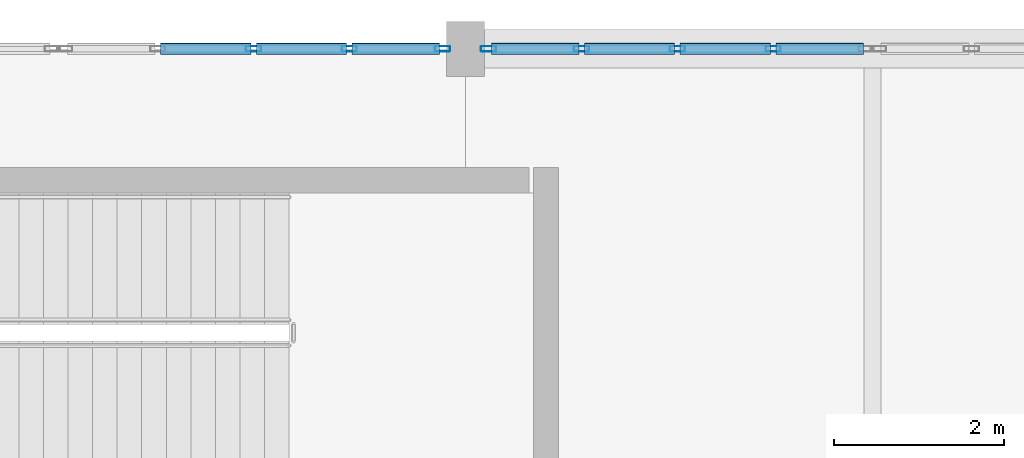
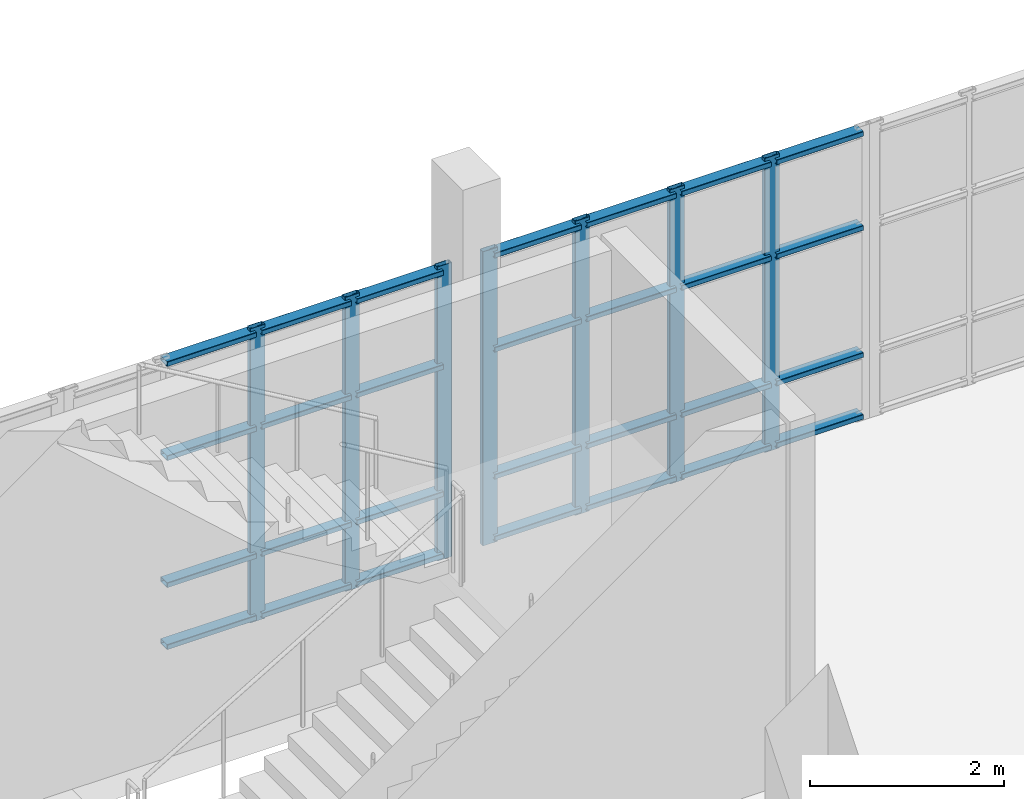
# One storey, part 42 of 106: 35 members, 2 elements without a shape of their own.
"""IFC4 building model written with IfcOpenShell, lengths in metres."""

import ifcopenshell
import ifcopenshell.guid

model = None  # the IFC model being written
_history = None  # IfcOwnerHistory: only IFC2X3 demands one
_inside = {}  # id of a spatial element -> (the spatial element, [elements in it])
_under = {}  # id of a project, library or spatial element -> (it, [spatial elements below it])
_declared = {}  # id of a project -> (the project, [libraries it declares])
_typed = {}  # id of a type object -> (the type object, [elements of that type])
_made_of = {}  # id of a material, layer set ... -> (it, [elements and type objects made of it])


def new_model(schema):
    """Start an empty IFC model of exactly this schema.

    Asked for "IFC4X3", IfcOpenShell would pick the latest addendum, in which some entities
    have other attributes; the version numbers below select the first issue.
    IFC2X3 requires an IfcOwnerHistory on every rooted entity: one is made here for all.
    """
    global model, _history
    if schema == "IFC4X3":
        model = ifcopenshell.file(schema_version=(4, 3, 0, 0))
    else:
        model = ifcopenshell.file(schema=schema)
    _inside.clear()
    _under.clear()
    _declared.clear()
    _typed.clear()
    _made_of.clear()
    _history = None
    if model.schema == "IFC2X3":
        org = make("IfcOrganization", Name="unknown")
        user = make(
            "IfcPersonAndOrganization",
            ThePerson=make("IfcPerson", FamilyName="unknown"),
            TheOrganization=org,
        )
        app = make(
            "IfcApplication",
            ApplicationDeveloper=org,
            Version="unknown",
            ApplicationFullName="unknown",
            ApplicationIdentifier="unknown",
        )
        _history = make(
            "IfcOwnerHistory",
            OwningUser=user,
            OwningApplication=app,
            ChangeAction="ADDED",
            CreationDate=0,
        )
    return model


def make(cls, **values):
    """One entity of the class cls with the attributes given. An attribute that is None is left unset."""
    return model.create_entity(
        cls, **{name: value for name, value in values.items() if value is not None}
    )


def rooted(cls, **values):
    """An entity with a GlobalId (a new one), such as an element, a storey or a relation."""
    return make(cls, GlobalId=ifcopenshell.guid.new(), OwnerHistory=_history, **values)


def si_unit(unit_type, name, prefix=None):
    """IfcSIUnit, for example si_unit("LENGTHUNIT", "METRE", prefix="MILLI")."""
    return make("IfcSIUnit", UnitType=unit_type, Prefix=prefix, Name=name)


def assignment(units):
    """IfcUnitAssignment: the units of a project."""
    return None if units is None else make("IfcUnitAssignment", Units=units)


def point(xyz):
    """IfcCartesianPoint."""
    return None if xyz is None else make("IfcCartesianPoint", Coordinates=xyz)


def direction(xyz):
    """IfcDirection."""
    return None if xyz is None else make("IfcDirection", DirectionRatios=xyz)


def frame(location, z_axis=None, x_axis=None):
    """IfcAxis2Placement3D, a coordinate frame: its origin and axes. An axis left out is left unset."""
    return make(
        "IfcAxis2Placement3D",
        Location=point(location),
        Axis=direction(z_axis),
        RefDirection=direction(x_axis),
    )


def frame_2d(location, x_axis=None):
    """IfcAxis2Placement2D, a coordinate frame in the plane: its origin and x axis."""
    return make(
        "IfcAxis2Placement2D", Location=point(location), RefDirection=direction(x_axis)
    )


def origin():
    """The frame at (0, 0, 0) with its axes left unset."""
    return frame((0.0, 0.0, 0.0))


def origin_2d():
    """The frame at (0, 0) in the plane with its x axis left unset."""
    return frame_2d((0.0, 0.0))


def place(relative_to, where):
    """IfcLocalPlacement: puts the frame where relative to a parent placement (None: the world)."""
    return make(
        "IfcLocalPlacement", PlacementRelTo=relative_to, RelativePlacement=where
    )


def context(
    kind, dimensions, precision=None, world=None, true_north=None, identifier=None
):
    """IfcGeometricRepresentationContext, for example the 3D "Model" context."""
    return make(
        "IfcGeometricRepresentationContext",
        ContextIdentifier=identifier,
        ContextType=kind,
        CoordinateSpaceDimension=dimensions,
        Precision=precision,
        WorldCoordinateSystem=world,
        TrueNorth=true_north,
    )


def subcontext(parent, identifier, kind, view, scale=None):
    """IfcGeometricRepresentationSubContext, for example "Body" below "Model"."""
    return make(
        "IfcGeometricRepresentationSubContext",
        ContextIdentifier=identifier,
        ContextType=kind,
        ParentContext=parent,
        TargetScale=scale,
        TargetView=view,
    )


def project(units=None, contexts=None):
    """IfcProject with its units and contexts."""
    return rooted(
        "IfcProject",
        Name="project",
        RepresentationContexts=contexts,
        UnitsInContext=assignment(units),
    )


def spatial(cls, under=None, at=None, **own):
    """A site, building, storey or space (cls), placed at a placement, below another one or the project."""
    s = rooted(cls, ObjectPlacement=at, **own)
    if under is not None:
        _under.setdefault(under.id(), (under, []))[1].append(s)
    return s


def profile(cls, at=None, kind="AREA", **sizes):
    """A parametric profile (cls). Its sizes go by their IFC names, for example OverallWidth=200.0."""
    return make(cls, ProfileType=kind, Position=at, **sizes)


def hollow_rectangle(**sizes):
    """IfcRectangleHollowProfileDef."""
    return profile("IfcRectangleHollowProfileDef", **sizes)


def extrude(swept, where, along, depth):
    """IfcExtrudedAreaSolid: the profile swept, set in the frame where, extruded along a direction by depth."""
    return make(
        "IfcExtrudedAreaSolid",
        SweptArea=swept,
        Position=where,
        ExtrudedDirection=direction(along),
        Depth=depth,
    )


def shape(context_of_items, identifier, shape_type, items):
    """IfcShapeRepresentation: the items that make up one representation, for example the "Body"."""
    return make(
        "IfcShapeRepresentation",
        ContextOfItems=context_of_items,
        RepresentationIdentifier=identifier,
        RepresentationType=shape_type,
        Items=items,
    )


def material(Name=None, Category=None):
    """IfcMaterial."""
    return make("IfcMaterial", Name=Name, Category=Category)


def layer(
    of_material, thickness, ventilated=None, Name=None, Category=None, Priority=None
):
    """IfcMaterialLayer: one layer of a wall or slab, of a material (None: an air gap)."""
    return make(
        "IfcMaterialLayer",
        Material=of_material,
        LayerThickness=thickness,
        IsVentilated=ventilated,
        Name=Name,
        Category=Category,
        Priority=Priority,
    )


def layer_set(layers, Name=None):
    """IfcMaterialLayerSet."""
    return make("IfcMaterialLayerSet", MaterialLayers=layers, LayerSetName=Name)


def material_profile(
    of_material, cross_section, Name=None, Category=None, Priority=None
):
    """IfcMaterialProfile: a cross section and its material."""
    return make(
        "IfcMaterialProfile",
        Name=Name,
        Material=of_material,
        Profile=cross_section,
        Priority=Priority,
        Category=Category,
    )


def profile_set(profiles, Name=None, composite=None):
    """IfcMaterialProfileSet."""
    return make(
        "IfcMaterialProfileSet",
        Name=Name,
        MaterialProfiles=profiles,
        CompositeProfile=composite,
    )


def made_of(thing, what):
    """Note that an element or type object is made of a material, layer set ...; save() writes the relation."""
    if what is not None:
        _made_of.setdefault(what.id(), (what, []))[1].append(thing)
    return thing


def type_object(cls, material=None, **own):
    """A type object (cls), such as IfcWallType, which elements share."""
    return made_of(rooted(cls, **own), material)


def element(
    cls,
    number,
    at=None,
    inside=None,
    cuts=None,
    type_object=None,
    material=None,
    context=None,
    identifier="Body",
    shape_type=None,
    held_by="IfcProductDefinitionShape",
    body=None,
    shapes=None,
    **own,
):
    """One element of the class cls, such as IfcWall. Its Tag is "e" and its number.

    at: its placement. inside: the storey or other place that contains it. cuts: it is an
    opening in that element (IfcRelVoidsElement). A single representation is given by context,
    identifier, shape_type and body (its items); several are given by shapes. held_by: the class
    of the entity that holds the representations. save() writes the other relations.
    """
    e = rooted(cls, Tag="e%d" % number, ObjectPlacement=at, **own)
    if body is not None:
        shapes = [shape(context, identifier, shape_type, body)]
    if shapes is not None:
        e.Representation = make(held_by, Representations=shapes)
    if inside is not None:
        _inside.setdefault(inside.id(), (inside, []))[1].append(e)
    if cuts is not None:
        rooted(
            "IfcRelVoidsElement", RelatingBuildingElement=cuts, RelatedOpeningElement=e
        )
    if type_object is not None:
        _typed.setdefault(type_object.id(), (type_object, []))[1].append(e)
    return made_of(e, material)


def aggregate(whole, parts):
    """IfcRelAggregates: a whole, such as a stair, and the parts it consists of."""
    return rooted("IfcRelAggregates", RelatingObject=whole, RelatedObjects=parts)


def save(model, path):
    """Write the relations noted so far, then the file.

    IfcRelAggregates (storeys below a building ...), IfcRelContainedInSpatialStructure (elements
    in a storey), IfcRelDefinesByType, IfcRelAssociatesMaterial and IfcRelDeclares: one each for
    every whole, place, type object, material and project.
    """
    for whole, parts in _under.values():
        aggregate(whole, parts)
    for where, things in _inside.values():
        rooted(
            "IfcRelContainedInSpatialStructure",
            RelatedElements=things,
            RelatingStructure=where,
        )
    for kind, things in _typed.values():
        rooted("IfcRelDefinesByType", RelatedObjects=things, RelatingType=kind)
    for what, things in _made_of.values():
        rooted("IfcRelAssociatesMaterial", RelatedObjects=things, RelatingMaterial=what)
    for by, libraries in _declared.values():
        rooted("IfcRelDeclares", RelatingContext=by, RelatedDefinitions=libraries)
    model.write(path)


model = new_model("IFC4")

# Units and contexts
model_context = context("Model", 3, precision=1e-05, world=origin(), true_north=direction((0.0, 1.0)))
body_context = subcontext(model_context, "Body", "Model", "MODEL_VIEW")
ifc_project = project(units=[si_unit("LENGTHUNIT", "METRE"), si_unit("AREAUNIT", "SQUARE_METRE"), si_unit("VOLUMEUNIT", "CUBIC_METRE"), si_unit("PLANEANGLEUNIT", "RADIAN"), si_unit("MASSUNIT", "GRAM", prefix="KILO")], contexts=[model_context])

# Site, building, storey
site_placement = place(None, origin())
site = spatial("IfcSite", under=ifc_project, at=site_placement, CompositionType="ELEMENT")
building_placement = place(site_placement, origin())
building = spatial("IfcBuilding", under=site, at=building_placement, Name="Kisaragi Civic Commons", CompositionType="ELEMENT")
storey_placement = place(building_placement, frame((0.0, 0.0, 4.800048828125)))
storey = spatial("IfcBuildingStorey", under=building, at=storey_placement, Name="L01", CompositionType="ELEMENT", Elevation=4.800048828125)

# Curtain wall, members
ifc_material = material(Name="Thermally broken anodized aluminium and low-E double glazing", Category="aluminium")
ifc_layer = layer(ifc_material, 0.179931640625, Name="Thermally broken anodized aluminium and low-E double glazing", Category="aluminium")
ifc_layer_set = layer_set([ifc_layer], Name="Thermally broken anodized aluminium and low-E double glazing")
curtain_wall_type = type_object("IfcCurtainWallType", Name="CW-01", PredefinedType="NOTDEFINED", material=ifc_layer_set)
curtain_wall_1_placement = place(storey_placement, origin())
curtain_wall_1 = element("IfcCurtainWall", 1, at=curtain_wall_1_placement, inside=storey, type_object=curtain_wall_type, Name="L01 curtain wall CW-01 CW-V4-L01-066", PredefinedType="NOTDEFINED")
ifc_material_profile_1 = material_profile(ifc_material, hollow_rectangle(XDim=0.06494140625, YDim=0.179931640625, WallThickness=0.00439453125, InnerFilletRadius=0.00439453125, OuterFilletRadius=0.009033203125, at=origin_2d()), Name="CWM-65x180x4.5", Category="aluminium")
ifc_profile_set_1 = profile_set([ifc_material_profile_1], Name="Thermally broken anodized aluminium and low-E double glazing")
member_type_1 = type_object("IfcMemberType", Name="CWM-02", PredefinedType="MULLION", material=ifc_profile_set_1)
member_1_placement = place(storey_placement, frame((121.10009765625, 118.800048828125, 0.0), z_axis=(0.0, 0.0, 1.0), x_axis=(0.0, 1.0, 0.0)))
member_1 = element("IfcMember", 2, at=member_1_placement, type_object=member_type_1, Name="CW-01 mullion 3", PredefinedType="MULLION", context=body_context, shape_type="SweptSolid", body=[
    extrude(hollow_rectangle(XDim=0.06494140625, YDim=0.179931640625, WallThickness=0.00439453125, InnerFilletRadius=0.00439453125, OuterFilletRadius=0.009033203125, at=origin_2d()), origin(), (0.0, 0.0, 1.0), 3.704833984375),
])
member_2_placement = place(storey_placement, frame((122.22998046875, 118.800048828125, 0.0), z_axis=(0.0, 0.0, 1.0), x_axis=(0.0, 1.0, 0.0)))
member_2 = element("IfcMember", 3, at=member_2_placement, type_object=member_type_1, Name="CW-01 mullion 4", PredefinedType="MULLION", context=body_context, shape_type="SweptSolid", body=[
    extrude(hollow_rectangle(XDim=0.06494140625, YDim=0.179931640625, WallThickness=0.00439453125, InnerFilletRadius=0.00439453125, OuterFilletRadius=0.009033203125, at=origin_2d()), origin(), (0.0, 0.0, 1.0), 3.704833984375),
])
member_3_placement = place(storey_placement, frame((123.327392578125, 118.800048828125, 0.0), z_axis=(0.0, 0.0, 1.0), x_axis=(0.0, 1.0, 0.0)))
member_3 = element("IfcMember", 4, at=member_3_placement, type_object=member_type_1, Name="CW-01 mullion 5", PredefinedType="MULLION", context=body_context, shape_type="SweptSolid", body=[
    extrude(hollow_rectangle(XDim=0.06494140625, YDim=0.179931640625, WallThickness=0.00439453125, InnerFilletRadius=0.00439453125, OuterFilletRadius=0.009033203125, at=origin_2d()), origin(), (0.0, 0.0, 1.0), 3.704833984375),
])

curtain_wall_2_placement = place(storey_placement, origin())
curtain_wall_2 = element("IfcCurtainWall", 5, at=curtain_wall_2_placement, inside=storey, type_object=curtain_wall_type, Name="L01 curtain wall CW-01 CW-V4-L01-067", PredefinedType="NOTDEFINED")
member_4_placement = place(storey_placement, frame((123.87255859375, 118.800048828125, 0.0), z_axis=(0.0, 0.0, 1.0), x_axis=(0.0, 1.0, 0.0)))
member_4 = element("IfcMember", 6, at=member_4_placement, type_object=member_type_1, Name="CW-01 mullion 1", PredefinedType="MULLION", context=body_context, shape_type="SweptSolid", body=[
    extrude(hollow_rectangle(XDim=0.06494140625, YDim=0.179931640625, WallThickness=0.00439453125, InnerFilletRadius=0.00439453125, OuterFilletRadius=0.009033203125, at=origin_2d()), origin(), (0.0, 0.0, 1.0), 3.704833984375),
])
member_5_placement = place(storey_placement, frame((124.969970703125, 118.800048828125, 0.0), z_axis=(0.0, 0.0, 1.0), x_axis=(0.0, 1.0, 0.0)))
member_5 = element("IfcMember", 7, at=member_5_placement, type_object=member_type_1, Name="CW-01 mullion 2", PredefinedType="MULLION", context=body_context, shape_type="SweptSolid", body=[
    extrude(hollow_rectangle(XDim=0.06494140625, YDim=0.179931640625, WallThickness=0.00439453125, InnerFilletRadius=0.00439453125, OuterFilletRadius=0.009033203125, at=origin_2d()), origin(), (0.0, 0.0, 1.0), 3.704833984375),
])
member_6_placement = place(storey_placement, frame((126.10009765625, 118.800048828125, 0.0), z_axis=(0.0, 0.0, 1.0), x_axis=(0.0, 1.0, 0.0)))
member_6 = element("IfcMember", 8, at=member_6_placement, type_object=member_type_1, Name="CW-01 mullion 3", PredefinedType="MULLION", context=body_context, shape_type="SweptSolid", body=[
    extrude(hollow_rectangle(XDim=0.06494140625, YDim=0.179931640625, WallThickness=0.00439453125, InnerFilletRadius=0.00439453125, OuterFilletRadius=0.009033203125, at=origin_2d()), origin(), (0.0, 0.0, 1.0), 3.704833984375),
])
member_7_placement = place(storey_placement, frame((127.22998046875, 118.800048828125, 0.0), z_axis=(0.0, 0.0, 1.0), x_axis=(0.0, 1.0, 0.0)))
member_7 = element("IfcMember", 9, at=member_7_placement, type_object=member_type_1, Name="CW-01 mullion 4", PredefinedType="MULLION", context=body_context, shape_type="SweptSolid", body=[
    extrude(hollow_rectangle(XDim=0.06494140625, YDim=0.179931640625, WallThickness=0.00439453125, InnerFilletRadius=0.00439453125, OuterFilletRadius=0.009033203125, at=origin_2d()), origin(), (0.0, 0.0, 1.0), 3.704833984375),
])

# Member
ifc_material_profile_2 = material_profile(ifc_material, hollow_rectangle(XDim=0.139892578125, YDim=0.06494140625, WallThickness=0.00439453125, InnerFilletRadius=0.00439453125, OuterFilletRadius=0.009033203125, at=origin_2d()), Name="CWT-65x140x4.5", Category="aluminium")
ifc_profile_set_2 = profile_set([ifc_material_profile_2], Name="Thermally broken anodized aluminium and low-E double glazing")
member_type_2 = type_object("IfcMemberType", Name="CWT-02", PredefinedType="USERDEFINED", material=ifc_profile_set_2)
member_8_placement = place(storey_placement, frame((120.00244140625, 118.800048828125, 0.070068359375), z_axis=(1.0, 0.0, 0.0), x_axis=(0.0, 1.0, 0.0)))
member_8 = element("IfcMember", 10, at=member_8_placement, type_object=member_type_2, Name="CW-01 transom 2.1", ObjectType="TRANSOM", PredefinedType="USERDEFINED", context=body_context, shape_type="SweptSolid", body=[
    extrude(hollow_rectangle(XDim=0.139892578125, YDim=0.06494140625, WallThickness=0.00439453125, InnerFilletRadius=0.00439453125, OuterFilletRadius=0.009033203125, at=origin_2d()), origin(), (0.0, 0.0, 1.0), 1.06494140625),
])

member_9_placement = place(storey_placement, frame((120.00244140625, 118.800048828125, 0.849853515625), z_axis=(1.0, 0.0, 0.0), x_axis=(0.0, 1.0, 0.0)))
member_9 = element("IfcMember", 11, at=member_9_placement, type_object=member_type_2, Name="CW-01 transom 2.2", ObjectType="TRANSOM", PredefinedType="USERDEFINED", context=body_context, shape_type="SweptSolid", body=[
    extrude(hollow_rectangle(XDim=0.139892578125, YDim=0.06494140625, WallThickness=0.00439453125, InnerFilletRadius=0.00439453125, OuterFilletRadius=0.009033203125, at=origin_2d()), origin(), (0.0, 0.0, 1.0), 1.06494140625),
])

member_10_placement = place(storey_placement, frame((120.00244140625, 118.800048828125, 2.449951171875), z_axis=(1.0, 0.0, 0.0), x_axis=(0.0, 1.0, 0.0)))
member_10 = element("IfcMember", 12, at=member_10_placement, type_object=member_type_2, Name="CW-01 transom 2.3", ObjectType="TRANSOM", PredefinedType="USERDEFINED", context=body_context, shape_type="SweptSolid", body=[
    extrude(hollow_rectangle(XDim=0.139892578125, YDim=0.06494140625, WallThickness=0.00439453125, InnerFilletRadius=0.00439453125, OuterFilletRadius=0.009033203125, at=origin_2d()), origin(), (0.0, 0.0, 1.0), 1.06494140625),
])

member_11_placement = place(storey_placement, frame((120.00244140625, 118.800048828125, 3.635009765625), z_axis=(1.0, 0.0, 0.0), x_axis=(0.0, 1.0, 0.0)))
member_11 = element("IfcMember", 13, at=member_11_placement, type_object=member_type_2, Name="CW-01 transom 2.4", ObjectType="TRANSOM", PredefinedType="USERDEFINED", context=body_context, shape_type="SweptSolid", body=[
    extrude(hollow_rectangle(XDim=0.139892578125, YDim=0.06494140625, WallThickness=0.00439453125, InnerFilletRadius=0.00439453125, OuterFilletRadius=0.009033203125, at=origin_2d()), origin(), (0.0, 0.0, 1.0), 1.06494140625),
])

member_12_placement = place(storey_placement, frame((121.132568359375, 118.800048828125, 0.070068359375), z_axis=(1.0, 0.0, 0.0), x_axis=(0.0, 1.0, 0.0)))
member_12 = element("IfcMember", 14, at=member_12_placement, type_object=member_type_2, Name="CW-01 transom 3.1", ObjectType="TRANSOM", PredefinedType="USERDEFINED", context=body_context, shape_type="SweptSolid", body=[
    extrude(hollow_rectangle(XDim=0.139892578125, YDim=0.06494140625, WallThickness=0.00439453125, InnerFilletRadius=0.00439453125, OuterFilletRadius=0.009033203125, at=origin_2d()), origin(), (0.0, 0.0, 1.0), 1.06494140625),
])

member_13_placement = place(storey_placement, frame((121.132568359375, 118.800048828125, 0.849853515625), z_axis=(1.0, 0.0, 0.0), x_axis=(0.0, 1.0, 0.0)))
member_13 = element("IfcMember", 15, at=member_13_placement, type_object=member_type_2, Name="CW-01 transom 3.2", ObjectType="TRANSOM", PredefinedType="USERDEFINED", context=body_context, shape_type="SweptSolid", body=[
    extrude(hollow_rectangle(XDim=0.139892578125, YDim=0.06494140625, WallThickness=0.00439453125, InnerFilletRadius=0.00439453125, OuterFilletRadius=0.009033203125, at=origin_2d()), origin(), (0.0, 0.0, 1.0), 1.06494140625),
])

member_14_placement = place(storey_placement, frame((121.132568359375, 118.800048828125, 2.449951171875), z_axis=(1.0, 0.0, 0.0), x_axis=(0.0, 1.0, 0.0)))
member_14 = element("IfcMember", 16, at=member_14_placement, type_object=member_type_2, Name="CW-01 transom 3.3", ObjectType="TRANSOM", PredefinedType="USERDEFINED", context=body_context, shape_type="SweptSolid", body=[
    extrude(hollow_rectangle(XDim=0.139892578125, YDim=0.06494140625, WallThickness=0.00439453125, InnerFilletRadius=0.00439453125, OuterFilletRadius=0.009033203125, at=origin_2d()), origin(), (0.0, 0.0, 1.0), 1.06494140625),
])

member_15_placement = place(storey_placement, frame((121.132568359375, 118.800048828125, 3.635009765625), z_axis=(1.0, 0.0, 0.0), x_axis=(0.0, 1.0, 0.0)))
member_15 = element("IfcMember", 17, at=member_15_placement, type_object=member_type_2, Name="CW-01 transom 3.4", ObjectType="TRANSOM", PredefinedType="USERDEFINED", context=body_context, shape_type="SweptSolid", body=[
    extrude(hollow_rectangle(XDim=0.139892578125, YDim=0.06494140625, WallThickness=0.00439453125, InnerFilletRadius=0.00439453125, OuterFilletRadius=0.009033203125, at=origin_2d()), origin(), (0.0, 0.0, 1.0), 1.06494140625),
])

member_16_placement = place(storey_placement, frame((122.262451171875, 118.800048828125, 0.070068359375), z_axis=(1.0, 0.0, 0.0), x_axis=(0.0, 1.0, 0.0)))
member_16 = element("IfcMember", 18, at=member_16_placement, type_object=member_type_2, Name="CW-01 transom 4.1", ObjectType="TRANSOM", PredefinedType="USERDEFINED", context=body_context, shape_type="SweptSolid", body=[
    extrude(hollow_rectangle(XDim=0.139892578125, YDim=0.06494140625, WallThickness=0.00439453125, InnerFilletRadius=0.00439453125, OuterFilletRadius=0.009033203125, at=origin_2d()), origin(), (0.0, 0.0, 1.0), 1.032470703125),
])

member_17_placement = place(storey_placement, frame((122.262451171875, 118.800048828125, 0.849853515625), z_axis=(1.0, 0.0, 0.0), x_axis=(0.0, 1.0, 0.0)))
member_17 = element("IfcMember", 19, at=member_17_placement, type_object=member_type_2, Name="CW-01 transom 4.2", ObjectType="TRANSOM", PredefinedType="USERDEFINED", context=body_context, shape_type="SweptSolid", body=[
    extrude(hollow_rectangle(XDim=0.139892578125, YDim=0.06494140625, WallThickness=0.00439453125, InnerFilletRadius=0.00439453125, OuterFilletRadius=0.009033203125, at=origin_2d()), origin(), (0.0, 0.0, 1.0), 1.032470703125),
])

member_18_placement = place(storey_placement, frame((122.262451171875, 118.800048828125, 2.449951171875), z_axis=(1.0, 0.0, 0.0), x_axis=(0.0, 1.0, 0.0)))
member_18 = element("IfcMember", 20, at=member_18_placement, type_object=member_type_2, Name="CW-01 transom 4.3", ObjectType="TRANSOM", PredefinedType="USERDEFINED", context=body_context, shape_type="SweptSolid", body=[
    extrude(hollow_rectangle(XDim=0.139892578125, YDim=0.06494140625, WallThickness=0.00439453125, InnerFilletRadius=0.00439453125, OuterFilletRadius=0.009033203125, at=origin_2d()), origin(), (0.0, 0.0, 1.0), 1.032470703125),
])

member_19_placement = place(storey_placement, frame((122.262451171875, 118.800048828125, 3.635009765625), z_axis=(1.0, 0.0, 0.0), x_axis=(0.0, 1.0, 0.0)))
member_19 = element("IfcMember", 21, at=member_19_placement, type_object=member_type_2, Name="CW-01 transom 4.4", ObjectType="TRANSOM", PredefinedType="USERDEFINED", context=body_context, shape_type="SweptSolid", body=[
    extrude(hollow_rectangle(XDim=0.139892578125, YDim=0.06494140625, WallThickness=0.00439453125, InnerFilletRadius=0.00439453125, OuterFilletRadius=0.009033203125, at=origin_2d()), origin(), (0.0, 0.0, 1.0), 1.032470703125),
])

aggregate(curtain_wall_1, [member_1, member_2, member_3, member_8, member_9, member_10, member_11, member_12, member_13, member_14, member_15, member_16, member_17, member_18, member_19])

member_20_placement = place(storey_placement, frame((123.905029296875, 118.800048828125, 0.070068359375), z_axis=(1.0, 0.0, 0.0), x_axis=(0.0, 1.0, 0.0)))
member_20 = element("IfcMember", 22, at=member_20_placement, type_object=member_type_2, Name="CW-01 transom 1.1", ObjectType="TRANSOM", PredefinedType="USERDEFINED", context=body_context, shape_type="SweptSolid", body=[
    extrude(hollow_rectangle(XDim=0.139892578125, YDim=0.06494140625, WallThickness=0.00439453125, InnerFilletRadius=0.00439453125, OuterFilletRadius=0.009033203125, at=origin_2d()), origin(), (0.0, 0.0, 1.0), 1.032470703125),
])

member_21_placement = place(storey_placement, frame((123.905029296875, 118.800048828125, 0.849853515625), z_axis=(1.0, 0.0, 0.0), x_axis=(0.0, 1.0, 0.0)))
member_21 = element("IfcMember", 23, at=member_21_placement, type_object=member_type_2, Name="CW-01 transom 1.2", ObjectType="TRANSOM", PredefinedType="USERDEFINED", context=body_context, shape_type="SweptSolid", body=[
    extrude(hollow_rectangle(XDim=0.139892578125, YDim=0.06494140625, WallThickness=0.00439453125, InnerFilletRadius=0.00439453125, OuterFilletRadius=0.009033203125, at=origin_2d()), origin(), (0.0, 0.0, 1.0), 1.032470703125),
])

member_22_placement = place(storey_placement, frame((123.905029296875, 118.800048828125, 2.449951171875), z_axis=(1.0, 0.0, 0.0), x_axis=(0.0, 1.0, 0.0)))
member_22 = element("IfcMember", 24, at=member_22_placement, type_object=member_type_2, Name="CW-01 transom 1.3", ObjectType="TRANSOM", PredefinedType="USERDEFINED", context=body_context, shape_type="SweptSolid", body=[
    extrude(hollow_rectangle(XDim=0.139892578125, YDim=0.06494140625, WallThickness=0.00439453125, InnerFilletRadius=0.00439453125, OuterFilletRadius=0.009033203125, at=origin_2d()), origin(), (0.0, 0.0, 1.0), 1.032470703125),
])

member_23_placement = place(storey_placement, frame((123.905029296875, 118.800048828125, 3.635009765625), z_axis=(1.0, 0.0, 0.0), x_axis=(0.0, 1.0, 0.0)))
member_23 = element("IfcMember", 25, at=member_23_placement, type_object=member_type_2, Name="CW-01 transom 1.4", ObjectType="TRANSOM", PredefinedType="USERDEFINED", context=body_context, shape_type="SweptSolid", body=[
    extrude(hollow_rectangle(XDim=0.139892578125, YDim=0.06494140625, WallThickness=0.00439453125, InnerFilletRadius=0.00439453125, OuterFilletRadius=0.009033203125, at=origin_2d()), origin(), (0.0, 0.0, 1.0), 1.032470703125),
])

member_24_placement = place(storey_placement, frame((125.00244140625, 118.800048828125, 0.070068359375), z_axis=(1.0, 0.0, 0.0), x_axis=(0.0, 1.0, 0.0)))
member_24 = element("IfcMember", 26, at=member_24_placement, type_object=member_type_2, Name="CW-01 transom 2.1", ObjectType="TRANSOM", PredefinedType="USERDEFINED", context=body_context, shape_type="SweptSolid", body=[
    extrude(hollow_rectangle(XDim=0.139892578125, YDim=0.06494140625, WallThickness=0.00439453125, InnerFilletRadius=0.00439453125, OuterFilletRadius=0.009033203125, at=origin_2d()), origin(), (0.0, 0.0, 1.0), 1.06494140625),
])

member_25_placement = place(storey_placement, frame((125.00244140625, 118.800048828125, 0.849853515625), z_axis=(1.0, 0.0, 0.0), x_axis=(0.0, 1.0, 0.0)))
member_25 = element("IfcMember", 27, at=member_25_placement, type_object=member_type_2, Name="CW-01 transom 2.2", ObjectType="TRANSOM", PredefinedType="USERDEFINED", context=body_context, shape_type="SweptSolid", body=[
    extrude(hollow_rectangle(XDim=0.139892578125, YDim=0.06494140625, WallThickness=0.00439453125, InnerFilletRadius=0.00439453125, OuterFilletRadius=0.009033203125, at=origin_2d()), origin(), (0.0, 0.0, 1.0), 1.06494140625),
])

member_26_placement = place(storey_placement, frame((125.00244140625, 118.800048828125, 2.449951171875), z_axis=(1.0, 0.0, 0.0), x_axis=(0.0, 1.0, 0.0)))
member_26 = element("IfcMember", 28, at=member_26_placement, type_object=member_type_2, Name="CW-01 transom 2.3", ObjectType="TRANSOM", PredefinedType="USERDEFINED", context=body_context, shape_type="SweptSolid", body=[
    extrude(hollow_rectangle(XDim=0.139892578125, YDim=0.06494140625, WallThickness=0.00439453125, InnerFilletRadius=0.00439453125, OuterFilletRadius=0.009033203125, at=origin_2d()), origin(), (0.0, 0.0, 1.0), 1.06494140625),
])

member_27_placement = place(storey_placement, frame((125.00244140625, 118.800048828125, 3.635009765625), z_axis=(1.0, 0.0, 0.0), x_axis=(0.0, 1.0, 0.0)))
member_27 = element("IfcMember", 29, at=member_27_placement, type_object=member_type_2, Name="CW-01 transom 2.4", ObjectType="TRANSOM", PredefinedType="USERDEFINED", context=body_context, shape_type="SweptSolid", body=[
    extrude(hollow_rectangle(XDim=0.139892578125, YDim=0.06494140625, WallThickness=0.00439453125, InnerFilletRadius=0.00439453125, OuterFilletRadius=0.009033203125, at=origin_2d()), origin(), (0.0, 0.0, 1.0), 1.06494140625),
])

member_28_placement = place(storey_placement, frame((126.132568359375, 118.800048828125, 0.070068359375), z_axis=(1.0, 0.0, 0.0), x_axis=(0.0, 1.0, 0.0)))
member_28 = element("IfcMember", 30, at=member_28_placement, type_object=member_type_2, Name="CW-01 transom 3.1", ObjectType="TRANSOM", PredefinedType="USERDEFINED", context=body_context, shape_type="SweptSolid", body=[
    extrude(hollow_rectangle(XDim=0.139892578125, YDim=0.06494140625, WallThickness=0.00439453125, InnerFilletRadius=0.00439453125, OuterFilletRadius=0.009033203125, at=origin_2d()), origin(), (0.0, 0.0, 1.0), 1.06494140625),
])

member_29_placement = place(storey_placement, frame((126.132568359375, 118.800048828125, 0.849853515625), z_axis=(1.0, 0.0, 0.0), x_axis=(0.0, 1.0, 0.0)))
member_29 = element("IfcMember", 31, at=member_29_placement, type_object=member_type_2, Name="CW-01 transom 3.2", ObjectType="TRANSOM", PredefinedType="USERDEFINED", context=body_context, shape_type="SweptSolid", body=[
    extrude(hollow_rectangle(XDim=0.139892578125, YDim=0.06494140625, WallThickness=0.00439453125, InnerFilletRadius=0.00439453125, OuterFilletRadius=0.009033203125, at=origin_2d()), origin(), (0.0, 0.0, 1.0), 1.06494140625),
])

member_30_placement = place(storey_placement, frame((126.132568359375, 118.800048828125, 2.449951171875), z_axis=(1.0, 0.0, 0.0), x_axis=(0.0, 1.0, 0.0)))
member_30 = element("IfcMember", 32, at=member_30_placement, type_object=member_type_2, Name="CW-01 transom 3.3", ObjectType="TRANSOM", PredefinedType="USERDEFINED", context=body_context, shape_type="SweptSolid", body=[
    extrude(hollow_rectangle(XDim=0.139892578125, YDim=0.06494140625, WallThickness=0.00439453125, InnerFilletRadius=0.00439453125, OuterFilletRadius=0.009033203125, at=origin_2d()), origin(), (0.0, 0.0, 1.0), 1.06494140625),
])

member_31_placement = place(storey_placement, frame((126.132568359375, 118.800048828125, 3.635009765625), z_axis=(1.0, 0.0, 0.0), x_axis=(0.0, 1.0, 0.0)))
member_31 = element("IfcMember", 33, at=member_31_placement, type_object=member_type_2, Name="CW-01 transom 3.4", ObjectType="TRANSOM", PredefinedType="USERDEFINED", context=body_context, shape_type="SweptSolid", body=[
    extrude(hollow_rectangle(XDim=0.139892578125, YDim=0.06494140625, WallThickness=0.00439453125, InnerFilletRadius=0.00439453125, OuterFilletRadius=0.009033203125, at=origin_2d()), origin(), (0.0, 0.0, 1.0), 1.06494140625),
])

member_32_placement = place(storey_placement, frame((127.262451171875, 118.800048828125, 0.070068359375), z_axis=(1.0, 0.0, 0.0), x_axis=(0.0, 1.0, 0.0)))
member_32 = element("IfcMember", 34, at=member_32_placement, type_object=member_type_2, Name="CW-01 transom 4.1", ObjectType="TRANSOM", PredefinedType="USERDEFINED", context=body_context, shape_type="SweptSolid", body=[
    extrude(hollow_rectangle(XDim=0.139892578125, YDim=0.06494140625, WallThickness=0.00439453125, InnerFilletRadius=0.00439453125, OuterFilletRadius=0.009033203125, at=origin_2d()), origin(), (0.0, 0.0, 1.0), 1.032470703125),
])

member_33_placement = place(storey_placement, frame((127.262451171875, 118.800048828125, 0.849853515625), z_axis=(1.0, 0.0, 0.0), x_axis=(0.0, 1.0, 0.0)))
member_33 = element("IfcMember", 35, at=member_33_placement, type_object=member_type_2, Name="CW-01 transom 4.2", ObjectType="TRANSOM", PredefinedType="USERDEFINED", context=body_context, shape_type="SweptSolid", body=[
    extrude(hollow_rectangle(XDim=0.139892578125, YDim=0.06494140625, WallThickness=0.00439453125, InnerFilletRadius=0.00439453125, OuterFilletRadius=0.009033203125, at=origin_2d()), origin(), (0.0, 0.0, 1.0), 1.032470703125),
])

member_34_placement = place(storey_placement, frame((127.262451171875, 118.800048828125, 2.449951171875), z_axis=(1.0, 0.0, 0.0), x_axis=(0.0, 1.0, 0.0)))
member_34 = element("IfcMember", 36, at=member_34_placement, type_object=member_type_2, Name="CW-01 transom 4.3", ObjectType="TRANSOM", PredefinedType="USERDEFINED", context=body_context, shape_type="SweptSolid", body=[
    extrude(hollow_rectangle(XDim=0.139892578125, YDim=0.06494140625, WallThickness=0.00439453125, InnerFilletRadius=0.00439453125, OuterFilletRadius=0.009033203125, at=origin_2d()), origin(), (0.0, 0.0, 1.0), 1.032470703125),
])

member_35_placement = place(storey_placement, frame((127.262451171875, 118.800048828125, 3.635009765625), z_axis=(1.0, 0.0, 0.0), x_axis=(0.0, 1.0, 0.0)))
member_35 = element("IfcMember", 37, at=member_35_placement, type_object=member_type_2, Name="CW-01 transom 4.4", ObjectType="TRANSOM", PredefinedType="USERDEFINED", context=body_context, shape_type="SweptSolid", body=[
    extrude(hollow_rectangle(XDim=0.139892578125, YDim=0.06494140625, WallThickness=0.00439453125, InnerFilletRadius=0.00439453125, OuterFilletRadius=0.009033203125, at=origin_2d()), origin(), (0.0, 0.0, 1.0), 1.032470703125),
])

aggregate(curtain_wall_2, [member_4, member_5, member_6, member_7, member_20, member_21, member_22, member_23, member_24, member_25, member_26, member_27, member_28, member_29, member_30, member_31, member_32, member_33, member_34, member_35])

save(model, "model.ifc")
